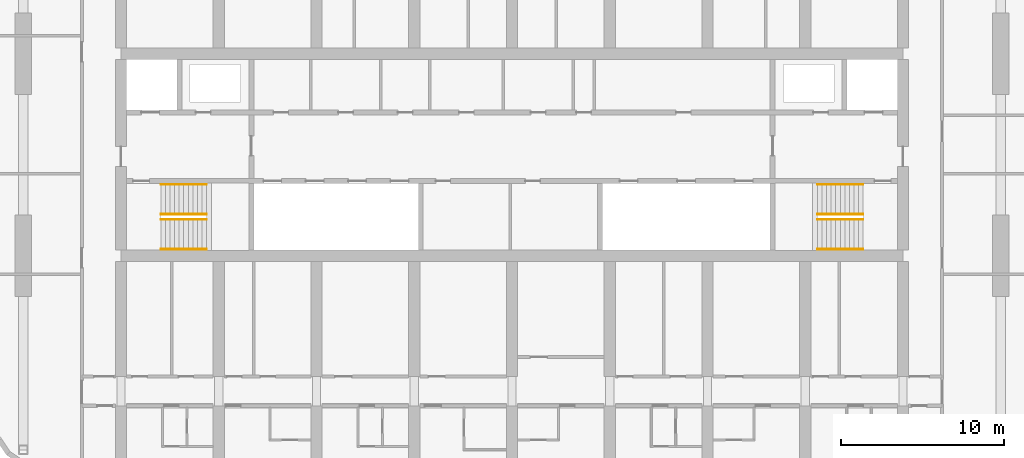
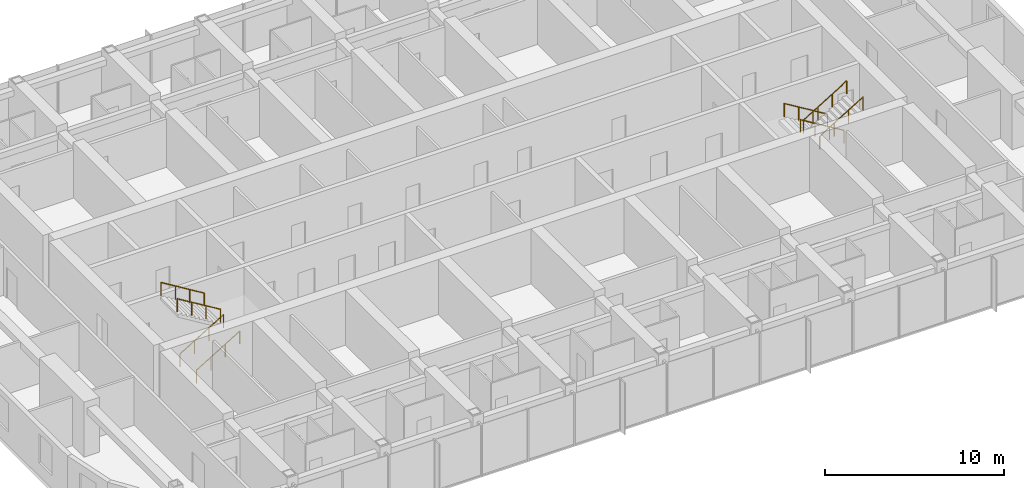
# One storey, part 23 of 23: 8 railings.
"""IFC4 building model written with IfcOpenShell, lengths in metres."""

import ifcopenshell
import ifcopenshell.guid

model = None  # the IFC model being written
_history = None  # IfcOwnerHistory: only IFC2X3 demands one
_inside = {}  # id of a spatial element -> (the spatial element, [elements in it])
_under = {}  # id of a project, library or spatial element -> (it, [spatial elements below it])
_declared = {}  # id of a project -> (the project, [libraries it declares])
_typed = {}  # id of a type object -> (the type object, [elements of that type])
_made_of = {}  # id of a material, layer set ... -> (it, [elements and type objects made of it])


def new_model(schema):
    """Start an empty IFC model of exactly this schema.

    Asked for "IFC4X3", IfcOpenShell would pick the latest addendum, in which some entities
    have other attributes; the version numbers below select the first issue.
    IFC2X3 requires an IfcOwnerHistory on every rooted entity: one is made here for all.
    """
    global model, _history
    if schema == "IFC4X3":
        model = ifcopenshell.file(schema_version=(4, 3, 0, 0))
    else:
        model = ifcopenshell.file(schema=schema)
    _inside.clear()
    _under.clear()
    _declared.clear()
    _typed.clear()
    _made_of.clear()
    _history = None
    if model.schema == "IFC2X3":
        org = make("IfcOrganization", Name="unknown")
        user = make(
            "IfcPersonAndOrganization",
            ThePerson=make("IfcPerson", FamilyName="unknown"),
            TheOrganization=org,
        )
        app = make(
            "IfcApplication",
            ApplicationDeveloper=org,
            Version="unknown",
            ApplicationFullName="unknown",
            ApplicationIdentifier="unknown",
        )
        _history = make(
            "IfcOwnerHistory",
            OwningUser=user,
            OwningApplication=app,
            ChangeAction="ADDED",
            CreationDate=0,
        )
    return model


def make(cls, **values):
    """One entity of the class cls with the attributes given. An attribute that is None is left unset."""
    return model.create_entity(
        cls, **{name: value for name, value in values.items() if value is not None}
    )


def rooted(cls, **values):
    """An entity with a GlobalId (a new one), such as an element, a storey or a relation."""
    return make(cls, GlobalId=ifcopenshell.guid.new(), OwnerHistory=_history, **values)


def si_unit(unit_type, name, prefix=None):
    """IfcSIUnit, for example si_unit("LENGTHUNIT", "METRE", prefix="MILLI")."""
    return make("IfcSIUnit", UnitType=unit_type, Prefix=prefix, Name=name)


def assignment(units):
    """IfcUnitAssignment: the units of a project."""
    return None if units is None else make("IfcUnitAssignment", Units=units)


def point(xyz):
    """IfcCartesianPoint."""
    return None if xyz is None else make("IfcCartesianPoint", Coordinates=xyz)


def direction(xyz):
    """IfcDirection."""
    return None if xyz is None else make("IfcDirection", DirectionRatios=xyz)


def frame(location, z_axis=None, x_axis=None):
    """IfcAxis2Placement3D, a coordinate frame: its origin and axes. An axis left out is left unset."""
    return make(
        "IfcAxis2Placement3D",
        Location=point(location),
        Axis=direction(z_axis),
        RefDirection=direction(x_axis),
    )


def frame_2d(location, x_axis=None):
    """IfcAxis2Placement2D, a coordinate frame in the plane: its origin and x axis."""
    return make(
        "IfcAxis2Placement2D", Location=point(location), RefDirection=direction(x_axis)
    )


def origin():
    """The frame at (0, 0, 0) with its axes left unset."""
    return frame((0.0, 0.0, 0.0))


def origin_2d():
    """The frame at (0, 0) in the plane with its x axis left unset."""
    return frame_2d((0.0, 0.0))


def place(relative_to, where):
    """IfcLocalPlacement: puts the frame where relative to a parent placement (None: the world)."""
    return make(
        "IfcLocalPlacement", PlacementRelTo=relative_to, RelativePlacement=where
    )


def context(
    kind, dimensions, precision=None, world=None, true_north=None, identifier=None
):
    """IfcGeometricRepresentationContext, for example the 3D "Model" context."""
    return make(
        "IfcGeometricRepresentationContext",
        ContextIdentifier=identifier,
        ContextType=kind,
        CoordinateSpaceDimension=dimensions,
        Precision=precision,
        WorldCoordinateSystem=world,
        TrueNorth=true_north,
    )


def subcontext(parent, identifier, kind, view, scale=None):
    """IfcGeometricRepresentationSubContext, for example "Body" below "Model"."""
    return make(
        "IfcGeometricRepresentationSubContext",
        ContextIdentifier=identifier,
        ContextType=kind,
        ParentContext=parent,
        TargetScale=scale,
        TargetView=view,
    )


def project(units=None, contexts=None):
    """IfcProject with its units and contexts."""
    return rooted(
        "IfcProject",
        Name="project",
        RepresentationContexts=contexts,
        UnitsInContext=assignment(units),
    )


def spatial(cls, under=None, at=None, **own):
    """A site, building, storey or space (cls), placed at a placement, below another one or the project."""
    s = rooted(cls, ObjectPlacement=at, **own)
    if under is not None:
        _under.setdefault(under.id(), (under, []))[1].append(s)
    return s


def profile(cls, at=None, kind="AREA", **sizes):
    """A parametric profile (cls). Its sizes go by their IFC names, for example OverallWidth=200.0."""
    return make(cls, ProfileType=kind, Position=at, **sizes)


def circle(**sizes):
    """IfcCircleProfileDef."""
    return profile("IfcCircleProfileDef", **sizes)


def extrude(swept, where, along, depth):
    """IfcExtrudedAreaSolid: the profile swept, set in the frame where, extruded along a direction by depth."""
    return make(
        "IfcExtrudedAreaSolid",
        SweptArea=swept,
        Position=where,
        ExtrudedDirection=direction(along),
        Depth=depth,
    )


def shape(context_of_items, identifier, shape_type, items):
    """IfcShapeRepresentation: the items that make up one representation, for example the "Body"."""
    return make(
        "IfcShapeRepresentation",
        ContextOfItems=context_of_items,
        RepresentationIdentifier=identifier,
        RepresentationType=shape_type,
        Items=items,
    )


def material(Name=None, Category=None):
    """IfcMaterial."""
    return make("IfcMaterial", Name=Name, Category=Category)


def made_of(thing, what):
    """Note that an element or type object is made of a material, layer set ...; save() writes the relation."""
    if what is not None:
        _made_of.setdefault(what.id(), (what, []))[1].append(thing)
    return thing


def type_object(cls, material=None, **own):
    """A type object (cls), such as IfcWallType, which elements share."""
    return made_of(rooted(cls, **own), material)


def element(
    cls,
    number,
    at=None,
    inside=None,
    cuts=None,
    type_object=None,
    material=None,
    context=None,
    identifier="Body",
    shape_type=None,
    held_by="IfcProductDefinitionShape",
    body=None,
    shapes=None,
    **own,
):
    """One element of the class cls, such as IfcWall. Its Tag is "e" and its number.

    at: its placement. inside: the storey or other place that contains it. cuts: it is an
    opening in that element (IfcRelVoidsElement). A single representation is given by context,
    identifier, shape_type and body (its items); several are given by shapes. held_by: the class
    of the entity that holds the representations. save() writes the other relations.
    """
    e = rooted(cls, Tag="e%d" % number, ObjectPlacement=at, **own)
    if body is not None:
        shapes = [shape(context, identifier, shape_type, body)]
    if shapes is not None:
        e.Representation = make(held_by, Representations=shapes)
    if inside is not None:
        _inside.setdefault(inside.id(), (inside, []))[1].append(e)
    if cuts is not None:
        rooted(
            "IfcRelVoidsElement", RelatingBuildingElement=cuts, RelatedOpeningElement=e
        )
    if type_object is not None:
        _typed.setdefault(type_object.id(), (type_object, []))[1].append(e)
    return made_of(e, material)


def aggregate(whole, parts):
    """IfcRelAggregates: a whole, such as a stair, and the parts it consists of."""
    return rooted("IfcRelAggregates", RelatingObject=whole, RelatedObjects=parts)


def save(model, path):
    """Write the relations noted so far, then the file.

    IfcRelAggregates (storeys below a building ...), IfcRelContainedInSpatialStructure (elements
    in a storey), IfcRelDefinesByType, IfcRelAssociatesMaterial and IfcRelDeclares: one each for
    every whole, place, type object, material and project.
    """
    for whole, parts in _under.values():
        aggregate(whole, parts)
    for where, things in _inside.values():
        rooted(
            "IfcRelContainedInSpatialStructure",
            RelatedElements=things,
            RelatingStructure=where,
        )
    for kind, things in _typed.values():
        rooted("IfcRelDefinesByType", RelatedObjects=things, RelatingType=kind)
    for what, things in _made_of.values():
        rooted("IfcRelAssociatesMaterial", RelatedObjects=things, RelatingMaterial=what)
    for by, libraries in _declared.values():
        rooted("IfcRelDeclares", RelatingContext=by, RelatedDefinitions=libraries)
    model.write(path)


model = new_model("IFC4")

# Units and contexts
model_context = context("Model", 3, precision=1e-05, world=origin(), true_north=direction((0.0, 1.0)))
body_context = subcontext(model_context, "Body", "Model", "MODEL_VIEW")
ifc_project = project(units=[si_unit("LENGTHUNIT", "METRE"), si_unit("AREAUNIT", "SQUARE_METRE"), si_unit("VOLUMEUNIT", "CUBIC_METRE"), si_unit("PLANEANGLEUNIT", "RADIAN"), si_unit("MASSUNIT", "GRAM", prefix="KILO")], contexts=[model_context])

# Site, building, storey
site_placement = place(None, origin())
site = spatial("IfcSite", under=ifc_project, at=site_placement, CompositionType="ELEMENT")
building_placement = place(site_placement, origin())
building = spatial("IfcBuilding", under=site, at=building_placement, Name="Orbita Commons", CompositionType="ELEMENT")
storey_placement = place(building_placement, frame((0.0, 0.0, 227.800048828125)))
storey = spatial("IfcBuildingStorey", under=building, at=storey_placement, Name="L56", CompositionType="ELEMENT", Elevation=227.800048828125)

# Railings
ifc_material = material(Name="Steel tube, painted", Category="steel")
railing_type = type_object("IfcRailingType", Name="Stair handrail steel tube 900", PredefinedType="HANDRAIL", material=ifc_material)
for number, where, name in (
    (1, (20.449951171875, 28.0400390625, 0.17041015625), "Stair S1 handrail L56 flight 1"),
    (2, (20.449951171875, 26.2099609375, 0.17041015625), "Stair S1 handrail L56 flight 1"),
):
    element("IfcRailing", number, at=place(storey_placement, frame(where)), inside=storey, type_object=railing_type, Name=name, PredefinedType="HANDRAIL", context=body_context, shape_type="SweptSolid", body=[
        extrude(circle(Radius=0.02099609375, at=origin_2d()), frame((0.0, 0.0, 0.87890625), z_axis=(0.854169791009, 0.0, 0.51999420009), x_axis=(0.0, 1.0, 0.0)), (0.0, 0.0, 1.0), 3.278076171875),
        extrude(circle(Radius=0.02001953125, at=origin_2d()), origin(), (0.0, 0.0, 1.0), 0.85791015625),
        extrude(circle(Radius=0.02001953125, at=origin_2d()), frame((0.933349609375, 0.0, 0.568115234375)), (0.0, 0.0, 1.0), 0.85791015625),
        extrude(circle(Radius=0.02001953125, at=origin_2d()), frame((1.86669921875, 0.0, 1.136474609375)), (0.0, 0.0, 1.0), 0.85791015625),
        extrude(circle(Radius=0.02001953125, at=origin_2d()), frame((2.800048828125, 0.0, 1.70458984375)), (0.0, 0.0, 1.0), 0.85791015625),
    ])
for number, where, name in (
    (3, (23.25, 28.360107421875, 2.04541015625), "Stair S1 handrail L56 flight 2"),
    (4, (23.25, 30.18994140625, 2.04541015625), "Stair S1 handrail L56 flight 2"),
    (5, (63.550048828125, 28.360107421875, 0.17041015625), "Stair S2 handrail L56 flight 1"),
    (6, (63.550048828125, 30.18994140625, 0.17041015625), "Stair S2 handrail L56 flight 1"),
):
    element("IfcRailing", number, at=place(storey_placement, frame(where)), inside=storey, type_object=railing_type, Name=name, PredefinedType="HANDRAIL", context=body_context, shape_type="SweptSolid", body=[
        extrude(circle(Radius=0.02099609375, at=origin_2d()), frame((0.0, 0.0, 0.87890625), z_axis=(-0.854169791009, 0.0, 0.51999420009), x_axis=(0.0, -1.0, 0.0)), (0.0, 0.0, 1.0), 3.278076171875),
        extrude(circle(Radius=0.02001953125, at=origin_2d()), origin(), (0.0, 0.0, 1.0), 0.85791015625),
        extrude(circle(Radius=0.02001953125, at=origin_2d()), frame((-0.933349609375, 0.0, 0.568115234375)), (0.0, 0.0, 1.0), 0.85791015625),
        extrude(circle(Radius=0.02001953125, at=origin_2d()), frame((-1.86669921875, 0.0, 1.136474609375)), (0.0, 0.0, 1.0), 0.85791015625),
        extrude(circle(Radius=0.02001953125, at=origin_2d()), frame((-2.800048828125, 0.0, 1.70458984375)), (0.0, 0.0, 1.0), 0.85791015625),
    ])
for number, where, name in (
    (7, (60.75, 28.0400390625, 2.04541015625), "Stair S2 handrail L56 flight 2"),
    (8, (60.75, 26.2099609375, 2.04541015625), "Stair S2 handrail L56 flight 2"),
):
    element("IfcRailing", number, at=place(storey_placement, frame(where)), inside=storey, type_object=railing_type, Name=name, PredefinedType="HANDRAIL", context=body_context, shape_type="SweptSolid", body=[
        extrude(circle(Radius=0.02099609375, at=origin_2d()), frame((0.0, 0.0, 0.87890625), z_axis=(0.854169791009, 0.0, 0.51999420009), x_axis=(0.0, 1.0, 0.0)), (0.0, 0.0, 1.0), 3.278076171875),
        extrude(circle(Radius=0.02001953125, at=origin_2d()), origin(), (0.0, 0.0, 1.0), 0.85791015625),
        extrude(circle(Radius=0.02001953125, at=origin_2d()), frame((0.933349609375, 0.0, 0.568115234375)), (0.0, 0.0, 1.0), 0.85791015625),
        extrude(circle(Radius=0.02001953125, at=origin_2d()), frame((1.86669921875, 0.0, 1.136474609375)), (0.0, 0.0, 1.0), 0.85791015625),
        extrude(circle(Radius=0.02001953125, at=origin_2d()), frame((2.800048828125, 0.0, 1.70458984375)), (0.0, 0.0, 1.0), 0.85791015625),
    ])

save(model, "model.ifc")
